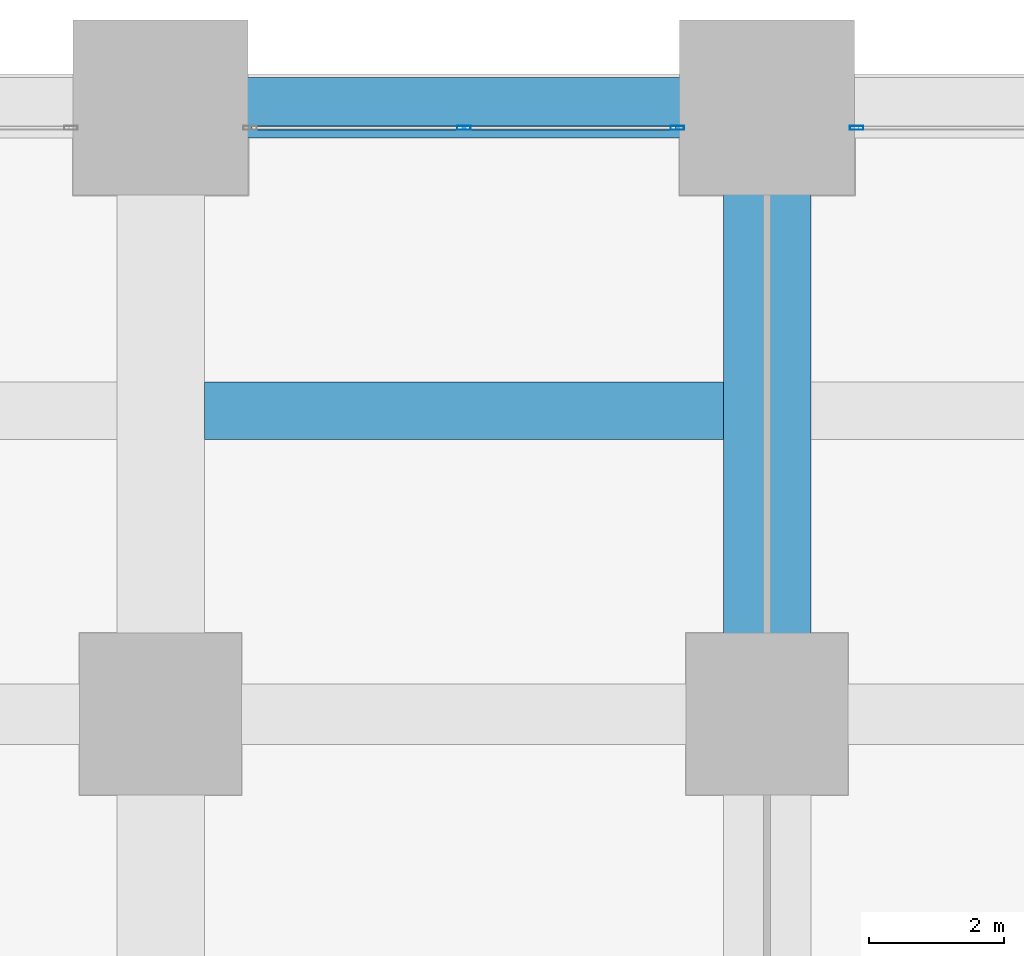
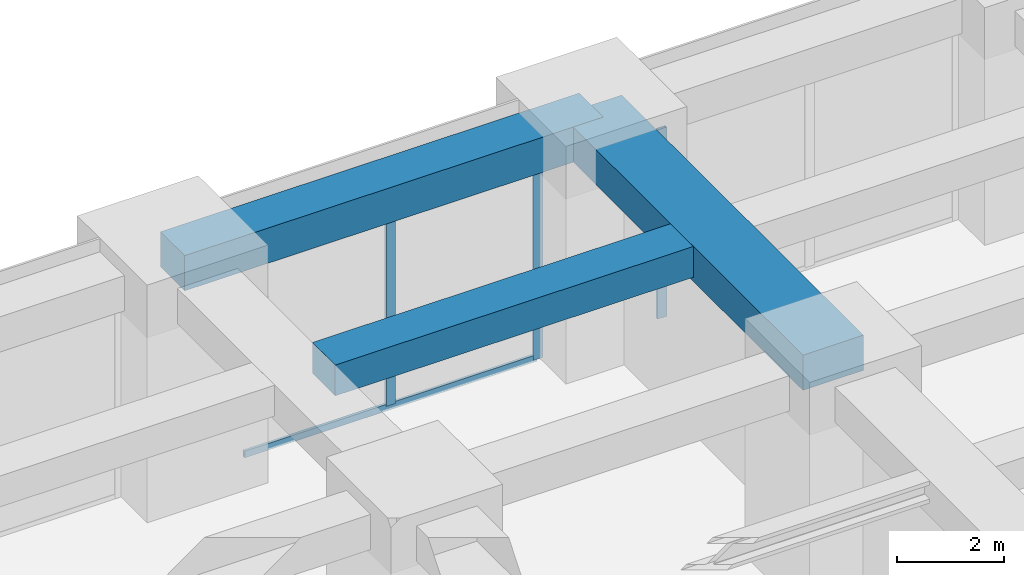
# One storey, part 28 of 45: 4 members, 3 beams, 2 elements without a shape of their own.
"""IFC4 building model written with IfcOpenShell, lengths in metres."""

from ifc_helpers import new_model, si_unit, direction, frame, origin, origin_2d, place, context, subcontext, project, spatial, rectangle, hollow_rectangle, extrude, material, material_profile, profile_set, type_object, element, aggregate, save


model = new_model("IFC4")

# Units and contexts
model_context = context("Model", 3, precision=1e-05, world=origin(), true_north=direction((0.0, 1.0)))
body_context = subcontext(model_context, "Body", "Model", "MODEL_VIEW")
ifc_project = project(units=[si_unit("LENGTHUNIT", "METRE"), si_unit("AREAUNIT", "SQUARE_METRE"), si_unit("VOLUMEUNIT", "CUBIC_METRE"), si_unit("PLANEANGLEUNIT", "RADIAN"), si_unit("MASSUNIT", "GRAM", prefix="KILO")], contexts=[model_context])

# Site, building, storey
site_placement = place(None, origin())
site = spatial("IfcSite", under=ifc_project, at=site_placement, CompositionType="ELEMENT")
building_placement = place(site_placement, origin())
building = spatial("IfcBuilding", under=site, at=building_placement, Name="Zorevar Civic Tower", CompositionType="ELEMENT")
storey_placement = place(building_placement, frame((0.0, 0.0, 5.39990234375)))
storey = spatial("IfcBuildingStorey", under=building, at=storey_placement, Name="L01", CompositionType="ELEMENT", Elevation=5.39990234375)

# Beams
ifc_material_1 = material(Name="Concrete C50/60", Category="concrete")
ifc_material_profile_1 = material_profile(ifc_material_1, rectangle(XDim=1.300048828125, YDim=0.800048828125, at=origin_2d()), Name="RC 1300x800")
ifc_profile_set_1 = profile_set([ifc_material_profile_1], Name="Concrete C50/60")
beam_type_1 = type_object("IfcBeamType", Name="Beam RC 1300x800", PredefinedType="BEAM", material=ifc_profile_set_1)
beam_1_placement = place(storey_placement, frame((45.0, 45.0, 4.7001953125), z_axis=(0.0, 1.0, 0.0), x_axis=(-1.0, 0.0, 0.0)))
element("IfcBeam", 1, at=beam_1_placement, inside=storey, type_object=beam_type_1, Name="Girder L02", PredefinedType="BEAM", context=body_context, shape_type="SweptSolid", body=[
    extrude(rectangle(XDim=1.300048828125, YDim=0.800048828125, at=origin_2d()), origin(), (0.0, 0.0, 1.0), 9.0),
])
ifc_material_2 = material(Name="Concrete C50/60", Category="concrete")
ifc_material_profile_2 = material_profile(ifc_material_2, rectangle(XDim=0.85009765625, YDim=0.699951171875, at=origin_2d()), Name="RC 850x700")
ifc_profile_set_2 = profile_set([ifc_material_profile_2], Name="Concrete C50/60")
beam_type_2 = type_object("IfcBeamType", Name="Beam RC 850x700", PredefinedType="BEAM", material=ifc_profile_set_2)
beam_2_placement = place(storey_placement, frame((36.64990234375, 49.5, 4.75), z_axis=(1.0, 0.0, 0.0), x_axis=(0.0, 1.0, 0.0)))
element("IfcBeam", 2, at=beam_2_placement, inside=storey, type_object=beam_type_2, Name="Secondary beam L02", PredefinedType="BEAM", context=body_context, shape_type="SweptSolid", body=[
    extrude(rectangle(XDim=0.85009765625, YDim=0.699951171875, at=origin_2d()), origin(), (0.0, 0.0, 1.0), 7.7001953125),
])

# Curtain wall, members
ifc_material_3 = material(Name="Dark grey solar-control glass in black aluminium frame", Category="aluminium")
curtain_wall_type = type_object("IfcCurtainWallType", Name="Curtain wall CW1 podium", PredefinedType="NOTDEFINED", material=ifc_material_3)
curtain_wall_1_placement = place(storey_placement, origin())
curtain_wall_1 = element("IfcCurtainWall", 3, at=curtain_wall_1_placement, inside=storey, type_object=curtain_wall_type, Name="CW1 L01", PredefinedType="NOTDEFINED")
ifc_material_4 = material(Name="Aluminium, black anodised", Category="aluminium")
ifc_material_profile_3 = material_profile(ifc_material_4, hollow_rectangle(XDim=0.06005859375, YDim=0.199951171875, WallThickness=0.00390625, at=origin_2d()), Name="AL 200x60x4")
ifc_profile_set_3 = profile_set([ifc_material_profile_3], Name="Aluminium, black anodised")
member_type_1 = type_object("IfcMemberType", Name="CW1 mullion AL 200x60x4", PredefinedType="MULLION", material=ifc_profile_set_3)
member_1_placement = place(storey_placement, frame((40.5, 53.699951171875, 0.06005859375), z_axis=(0.0, 0.0, 1.0), x_axis=(0.0, 1.0, 0.0)))
member_1 = element("IfcMember", 4, at=member_1_placement, type_object=member_type_1, Name="CW1 mullion 2", PredefinedType="MULLION", context=body_context, shape_type="SweptSolid", body=[
    extrude(hollow_rectangle(XDim=0.06005859375, YDim=0.199951171875, WallThickness=0.00390625, at=origin_2d()), origin(), (0.0, 0.0, 1.0), 4.239990234375),
])
member_2_placement = place(storey_placement, frame((43.669921875, 53.699951171875, 0.0), z_axis=(0.0, 0.0, 1.0), x_axis=(0.0, 1.0, 0.0)))
member_2 = element("IfcMember", 5, at=member_2_placement, type_object=member_type_1, Name="CW1 mullion 3", PredefinedType="MULLION", context=body_context, shape_type="SweptSolid", body=[
    extrude(hollow_rectangle(XDim=0.06005859375, YDim=0.199951171875, WallThickness=0.00390625, at=origin_2d()), origin(), (0.0, 0.0, 1.0), 4.300048828125),
])

# Curtain wall, member
curtain_wall_2_placement = place(storey_placement, origin())
curtain_wall_2 = element("IfcCurtainWall", 6, at=curtain_wall_2_placement, inside=storey, type_object=curtain_wall_type, Name="CW1 L01", PredefinedType="NOTDEFINED")
member_3_placement = place(storey_placement, frame((46.330078125, 53.699951171875, 0.0), z_axis=(0.0, 0.0, 1.0), x_axis=(0.0, 1.0, 0.0)))
member_3 = element("IfcMember", 7, at=member_3_placement, type_object=member_type_1, Name="CW1 mullion 1", PredefinedType="MULLION", context=body_context, shape_type="SweptSolid", body=[
    extrude(hollow_rectangle(XDim=0.06005859375, YDim=0.199951171875, WallThickness=0.00390625, at=origin_2d()), origin(), (0.0, 0.0, 1.0), 4.300048828125),
])
aggregate(curtain_wall_2, [member_3])

# Member
ifc_material_5 = material(Name="Aluminium, black anodised", Category="aluminium")
ifc_material_profile_4 = material_profile(ifc_material_5, hollow_rectangle(XDim=0.06005859375, YDim=0.14990234375, WallThickness=0.00390625, at=origin_2d()), Name="AL 150x60x4")
ifc_profile_set_4 = profile_set([ifc_material_profile_4], Name="Aluminium, black anodised")
member_type_2 = type_object("IfcMemberType", Name="CW1 transom AL 150x60x4", PredefinedType="USERDEFINED", material=ifc_profile_set_4)
member_4_placement = place(storey_placement, frame((37.360107421875, 53.699951171875, 0.030029296875), z_axis=(1.0, 0.0, 0.0), x_axis=(0.0, 1.0, 0.0)))
member_4 = element("IfcMember", 8, at=member_4_placement, type_object=member_type_2, Name="CW1 sill transom", ObjectType="TRANSOM", PredefinedType="USERDEFINED", context=body_context, shape_type="SweptSolid", body=[
    extrude(hollow_rectangle(XDim=0.06005859375, YDim=0.14990234375, WallThickness=0.00390625, at=origin_2d()), origin(), (0.0, 0.0, 1.0), 6.27978515625),
])

aggregate(curtain_wall_1, [member_1, member_2, member_4])

# Beam
ifc_material_6 = material(Name="Concrete C50/60", Category="concrete")
ifc_material_profile_5 = material_profile(ifc_material_6, rectangle(XDim=0.89990234375, YDim=0.800048828125, at=origin_2d()), Name="RC 900x800")
ifc_profile_set_5 = profile_set([ifc_material_profile_5], Name="Concrete C50/60")
beam_type_3 = type_object("IfcBeamType", Name="Edge beam RC 900x800", PredefinedType="SPANDREL", material=ifc_profile_set_5)
beam_3_placement = place(storey_placement, frame((36.0, 54.0, 4.7001953125), z_axis=(1.0, 0.0, 0.0), x_axis=(0.0, 1.0, 0.0)))
element("IfcBeam", 9, at=beam_3_placement, inside=storey, type_object=beam_type_3, Name="Edge beam L02", PredefinedType="SPANDREL", context=body_context, shape_type="SweptSolid", body=[
    extrude(rectangle(XDim=0.89990234375, YDim=0.800048828125, at=origin_2d()), origin(), (0.0, 0.0, 1.0), 9.0),
])

save(model, "model.ifc")
